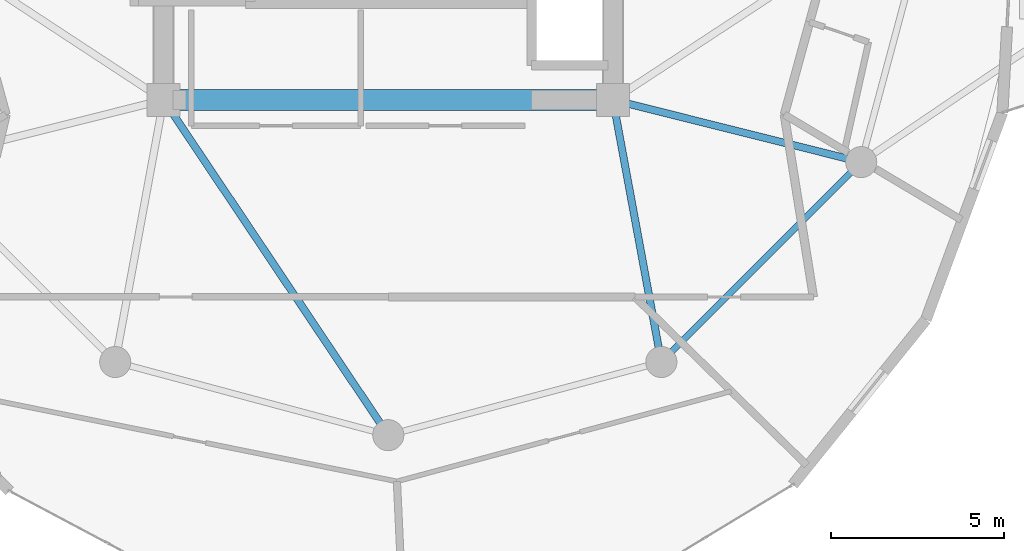
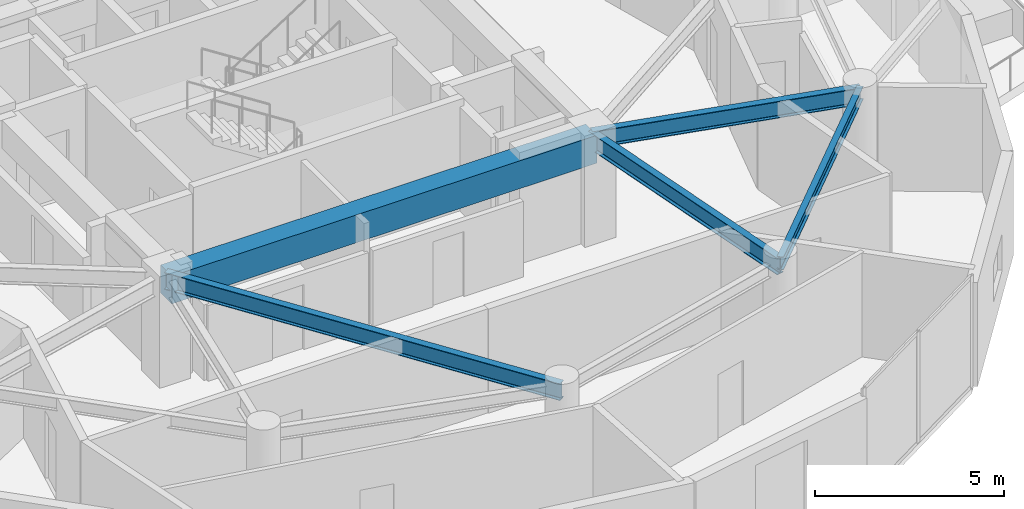
# One storey, part 6 of 21: 5 beams.
"""IFC4 building model written with IfcOpenShell, lengths in metres."""

import ifcopenshell
import ifcopenshell.guid

model = None  # the IFC model being written
_history = None  # IfcOwnerHistory: only IFC2X3 demands one
_inside = {}  # id of a spatial element -> (the spatial element, [elements in it])
_under = {}  # id of a project, library or spatial element -> (it, [spatial elements below it])
_declared = {}  # id of a project -> (the project, [libraries it declares])
_typed = {}  # id of a type object -> (the type object, [elements of that type])
_made_of = {}  # id of a material, layer set ... -> (it, [elements and type objects made of it])


def new_model(schema):
    """Start an empty IFC model of exactly this schema.

    Asked for "IFC4X3", IfcOpenShell would pick the latest addendum, in which some entities
    have other attributes; the version numbers below select the first issue.
    IFC2X3 requires an IfcOwnerHistory on every rooted entity: one is made here for all.
    """
    global model, _history
    if schema == "IFC4X3":
        model = ifcopenshell.file(schema_version=(4, 3, 0, 0))
    else:
        model = ifcopenshell.file(schema=schema)
    _inside.clear()
    _under.clear()
    _declared.clear()
    _typed.clear()
    _made_of.clear()
    _history = None
    if model.schema == "IFC2X3":
        org = make("IfcOrganization", Name="unknown")
        user = make(
            "IfcPersonAndOrganization",
            ThePerson=make("IfcPerson", FamilyName="unknown"),
            TheOrganization=org,
        )
        app = make(
            "IfcApplication",
            ApplicationDeveloper=org,
            Version="unknown",
            ApplicationFullName="unknown",
            ApplicationIdentifier="unknown",
        )
        _history = make(
            "IfcOwnerHistory",
            OwningUser=user,
            OwningApplication=app,
            ChangeAction="ADDED",
            CreationDate=0,
        )
    return model


def make(cls, **values):
    """One entity of the class cls with the attributes given. An attribute that is None is left unset."""
    return model.create_entity(
        cls, **{name: value for name, value in values.items() if value is not None}
    )


def rooted(cls, **values):
    """An entity with a GlobalId (a new one), such as an element, a storey or a relation."""
    return make(cls, GlobalId=ifcopenshell.guid.new(), OwnerHistory=_history, **values)


def si_unit(unit_type, name, prefix=None):
    """IfcSIUnit, for example si_unit("LENGTHUNIT", "METRE", prefix="MILLI")."""
    return make("IfcSIUnit", UnitType=unit_type, Prefix=prefix, Name=name)


def assignment(units):
    """IfcUnitAssignment: the units of a project."""
    return None if units is None else make("IfcUnitAssignment", Units=units)


def point(xyz):
    """IfcCartesianPoint."""
    return None if xyz is None else make("IfcCartesianPoint", Coordinates=xyz)


def direction(xyz):
    """IfcDirection."""
    return None if xyz is None else make("IfcDirection", DirectionRatios=xyz)


def frame(location, z_axis=None, x_axis=None):
    """IfcAxis2Placement3D, a coordinate frame: its origin and axes. An axis left out is left unset."""
    return make(
        "IfcAxis2Placement3D",
        Location=point(location),
        Axis=direction(z_axis),
        RefDirection=direction(x_axis),
    )


def frame_2d(location, x_axis=None):
    """IfcAxis2Placement2D, a coordinate frame in the plane: its origin and x axis."""
    return make(
        "IfcAxis2Placement2D", Location=point(location), RefDirection=direction(x_axis)
    )


def origin():
    """The frame at (0, 0, 0) with its axes left unset."""
    return frame((0.0, 0.0, 0.0))


def origin_2d():
    """The frame at (0, 0) in the plane with its x axis left unset."""
    return frame_2d((0.0, 0.0))


def place(relative_to, where):
    """IfcLocalPlacement: puts the frame where relative to a parent placement (None: the world)."""
    return make(
        "IfcLocalPlacement", PlacementRelTo=relative_to, RelativePlacement=where
    )


def context(
    kind, dimensions, precision=None, world=None, true_north=None, identifier=None
):
    """IfcGeometricRepresentationContext, for example the 3D "Model" context."""
    return make(
        "IfcGeometricRepresentationContext",
        ContextIdentifier=identifier,
        ContextType=kind,
        CoordinateSpaceDimension=dimensions,
        Precision=precision,
        WorldCoordinateSystem=world,
        TrueNorth=true_north,
    )


def subcontext(parent, identifier, kind, view, scale=None):
    """IfcGeometricRepresentationSubContext, for example "Body" below "Model"."""
    return make(
        "IfcGeometricRepresentationSubContext",
        ContextIdentifier=identifier,
        ContextType=kind,
        ParentContext=parent,
        TargetScale=scale,
        TargetView=view,
    )


def project(units=None, contexts=None):
    """IfcProject with its units and contexts."""
    return rooted(
        "IfcProject",
        Name="project",
        RepresentationContexts=contexts,
        UnitsInContext=assignment(units),
    )


def spatial(cls, under=None, at=None, **own):
    """A site, building, storey or space (cls), placed at a placement, below another one or the project."""
    s = rooted(cls, ObjectPlacement=at, **own)
    if under is not None:
        _under.setdefault(under.id(), (under, []))[1].append(s)
    return s


def profile(cls, at=None, kind="AREA", **sizes):
    """A parametric profile (cls). Its sizes go by their IFC names, for example OverallWidth=200.0."""
    return make(cls, ProfileType=kind, Position=at, **sizes)


def rectangle(**sizes):
    """IfcRectangleProfileDef."""
    return profile("IfcRectangleProfileDef", **sizes)


def i_section(**sizes):
    """IfcIShapeProfileDef."""
    return profile("IfcIShapeProfileDef", **sizes)


def extrude(swept, where, along, depth):
    """IfcExtrudedAreaSolid: the profile swept, set in the frame where, extruded along a direction by depth."""
    return make(
        "IfcExtrudedAreaSolid",
        SweptArea=swept,
        Position=where,
        ExtrudedDirection=direction(along),
        Depth=depth,
    )


def shape(context_of_items, identifier, shape_type, items):
    """IfcShapeRepresentation: the items that make up one representation, for example the "Body"."""
    return make(
        "IfcShapeRepresentation",
        ContextOfItems=context_of_items,
        RepresentationIdentifier=identifier,
        RepresentationType=shape_type,
        Items=items,
    )


def material(Name=None, Category=None):
    """IfcMaterial."""
    return make("IfcMaterial", Name=Name, Category=Category)


def material_profile(
    of_material, cross_section, Name=None, Category=None, Priority=None
):
    """IfcMaterialProfile: a cross section and its material."""
    return make(
        "IfcMaterialProfile",
        Name=Name,
        Material=of_material,
        Profile=cross_section,
        Priority=Priority,
        Category=Category,
    )


def profile_set(profiles, Name=None, composite=None):
    """IfcMaterialProfileSet."""
    return make(
        "IfcMaterialProfileSet",
        Name=Name,
        MaterialProfiles=profiles,
        CompositeProfile=composite,
    )


def made_of(thing, what):
    """Note that an element or type object is made of a material, layer set ...; save() writes the relation."""
    if what is not None:
        _made_of.setdefault(what.id(), (what, []))[1].append(thing)
    return thing


def type_object(cls, material=None, **own):
    """A type object (cls), such as IfcWallType, which elements share."""
    return made_of(rooted(cls, **own), material)


def element(
    cls,
    number,
    at=None,
    inside=None,
    cuts=None,
    type_object=None,
    material=None,
    context=None,
    identifier="Body",
    shape_type=None,
    held_by="IfcProductDefinitionShape",
    body=None,
    shapes=None,
    **own,
):
    """One element of the class cls, such as IfcWall. Its Tag is "e" and its number.

    at: its placement. inside: the storey or other place that contains it. cuts: it is an
    opening in that element (IfcRelVoidsElement). A single representation is given by context,
    identifier, shape_type and body (its items); several are given by shapes. held_by: the class
    of the entity that holds the representations. save() writes the other relations.
    """
    e = rooted(cls, Tag="e%d" % number, ObjectPlacement=at, **own)
    if body is not None:
        shapes = [shape(context, identifier, shape_type, body)]
    if shapes is not None:
        e.Representation = make(held_by, Representations=shapes)
    if inside is not None:
        _inside.setdefault(inside.id(), (inside, []))[1].append(e)
    if cuts is not None:
        rooted(
            "IfcRelVoidsElement", RelatingBuildingElement=cuts, RelatedOpeningElement=e
        )
    if type_object is not None:
        _typed.setdefault(type_object.id(), (type_object, []))[1].append(e)
    return made_of(e, material)


def aggregate(whole, parts):
    """IfcRelAggregates: a whole, such as a stair, and the parts it consists of."""
    return rooted("IfcRelAggregates", RelatingObject=whole, RelatedObjects=parts)


def save(model, path):
    """Write the relations noted so far, then the file.

    IfcRelAggregates (storeys below a building ...), IfcRelContainedInSpatialStructure (elements
    in a storey), IfcRelDefinesByType, IfcRelAssociatesMaterial and IfcRelDeclares: one each for
    every whole, place, type object, material and project.
    """
    for whole, parts in _under.values():
        aggregate(whole, parts)
    for where, things in _inside.values():
        rooted(
            "IfcRelContainedInSpatialStructure",
            RelatedElements=things,
            RelatingStructure=where,
        )
    for kind, things in _typed.values():
        rooted("IfcRelDefinesByType", RelatedObjects=things, RelatingType=kind)
    for what, things in _made_of.values():
        rooted("IfcRelAssociatesMaterial", RelatedObjects=things, RelatingMaterial=what)
    for by, libraries in _declared.values():
        rooted("IfcRelDeclares", RelatingContext=by, RelatedDefinitions=libraries)
    model.write(path)


model = new_model("IFC4")

# Units and contexts
model_context = context("Model", 3, precision=1e-05, world=origin(), true_north=direction((0.0, 1.0)))
body_context = subcontext(model_context, "Body", "Model", "MODEL_VIEW")
ifc_project = project(units=[si_unit("LENGTHUNIT", "METRE"), si_unit("AREAUNIT", "SQUARE_METRE"), si_unit("VOLUMEUNIT", "CUBIC_METRE"), si_unit("PLANEANGLEUNIT", "RADIAN"), si_unit("MASSUNIT", "GRAM", prefix="KILO")], contexts=[model_context])

# Site, building, storey
site_placement = place(None, origin())
site = spatial("IfcSite", under=ifc_project, at=site_placement, CompositionType="ELEMENT")
building_placement = place(site_placement, origin())
building = spatial("IfcBuilding", under=site, at=building_placement, Name="Solvirekh Grand Hotel", CompositionType="ELEMENT")
storey_placement = place(building_placement, frame((0.0, 0.0, 216.39990234375)))
storey = spatial("IfcBuildingStorey", under=building, at=storey_placement, Name="L56", CompositionType="ELEMENT", Elevation=216.39990234375)

# Beams
ifc_material_1 = material(Name="Concrete C50/60", Category="concrete")
ifc_material_profile_1 = material_profile(ifc_material_1, rectangle(XDim=0.60009765625, YDim=0.89990234375, at=origin_2d()), Name="RC BEAM 600X900")
ifc_profile_set_1 = profile_set([ifc_material_profile_1], Name="Concrete C50/60")
beam_type_1 = type_object("IfcBeamType", Name="Beam_Core_RC900", PredefinedType="BEAM", material=ifc_profile_set_1)
beam_1_placement = place(storey_placement, frame((-6.5, -6.10009765625, 2.91015625), z_axis=(1.0, 0.0, 0.0), x_axis=(0.0, 1.0, 0.0)))
element("IfcBeam", 1, at=beam_1_placement, inside=storey, type_object=beam_type_1, Name="L56 core coupling ring beam 1", PredefinedType="BEAM", context=body_context, shape_type="SweptSolid", body=[
    extrude(rectangle(XDim=0.60009765625, YDim=0.89990234375, at=origin_2d()), origin(), (0.0, 0.0, 1.0), 13.0),
])
ifc_material_2 = material(Name="Steel S355", Category="steel")
ifc_material_profile_2 = material_profile(ifc_material_2, i_section(OverallWidth=0.2119140625, OverallDepth=0.5439453125, WebThickness=0.011962890625, FlangeThickness=0.01904296875, FilletRadius=0.013916015625, at=origin_2d()), Name="W530X123")
ifc_profile_set_2 = profile_set([ifc_material_profile_2], Name="Steel S355")
beam_type_2 = type_object("IfcBeamType", Name="Beam_Radial_W530H", PredefinedType="BEAM", material=ifc_profile_set_2)
beam_2_placement = place(storey_placement, frame((-6.5, -6.10009765625, 3.088134765625), z_axis=(0.556676926176, -0.830729077295, 0.0), x_axis=(0.830729077295, 0.556676926176, 0.0)))
element("IfcBeam", 2, at=beam_2_placement, inside=storey, type_object=beam_type_2, Name="L56 radial floor beam R10", PredefinedType="BEAM", context=body_context, shape_type="SweptSolid", body=[
    extrude(i_section(OverallWidth=0.2119140625, OverallDepth=0.5439453125, WebThickness=0.011962890625, FlangeThickness=0.01904296875, FilletRadius=0.013916015625, at=origin_2d()), origin(), (0.0, 0.0, 1.0), 11.676513671875),
])
beam_3_placement = place(storey_placement, frame((6.5, -6.10009765625, 3.088134765625), z_axis=(0.181542769111, -0.983383049978, 0.0), x_axis=(0.983383049978, 0.181542769111, 0.0)))
element("IfcBeam", 3, at=beam_3_placement, inside=storey, type_object=beam_type_2, Name="L56 radial floor beam R11", PredefinedType="BEAM", context=body_context, shape_type="SweptSolid", body=[
    extrude(i_section(OverallWidth=0.2119140625, OverallDepth=0.5439453125, WebThickness=0.011962890625, FlangeThickness=0.01904296875, FilletRadius=0.013916015625, at=origin_2d()), origin(), (0.0, 0.0, 1.0), 7.711181640625),
])
beam_4_placement = place(storey_placement, frame((6.5, -6.10009765625, 3.088134765625), z_axis=(0.970014367692, -0.243047580675, 0.0), x_axis=(0.243047580675, 0.970014367692, 0.0)))
element("IfcBeam", 4, at=beam_4_placement, inside=storey, type_object=beam_type_2, Name="L56 radial floor beam R12", PredefinedType="BEAM", context=body_context, shape_type="SweptSolid", body=[
    extrude(i_section(OverallWidth=0.2119140625, OverallDepth=0.5439453125, WebThickness=0.011962890625, FlangeThickness=0.01904296875, FilletRadius=0.013916015625, at=origin_2d()), origin(), (0.0, 0.0, 1.0), 7.4052734375),
])
ifc_material_profile_3 = material_profile(ifc_material_2, i_section(OverallWidth=0.180908203125, OverallDepth=0.4169921875, WebThickness=0.010009765625, FlangeThickness=0.01611328125, FilletRadius=0.011962890625, at=origin_2d()), Name="W410X85")
ifc_profile_set_3 = profile_set([ifc_material_profile_3], Name="Steel S355")
beam_type_3 = type_object("IfcBeamType", Name="Spandrel_Ring_W410", PredefinedType="SPANDREL", material=ifc_profile_set_3)
beam_5_placement = place(storey_placement, frame((7.89990234375, -13.68310546875, 3.152099609375), z_axis=(0.707106781187, 0.707106781187, 0.0), x_axis=(-0.707106781187, 0.707106781187, 0.0)))
element("IfcBeam", 5, at=beam_5_placement, inside=storey, type_object=beam_type_3, Name="L56 perimeter spandrel beam 11", PredefinedType="SPANDREL", context=body_context, shape_type="SweptSolid", body=[
    extrude(i_section(OverallWidth=0.180908203125, OverallDepth=0.4169921875, WebThickness=0.010009765625, FlangeThickness=0.01611328125, FilletRadius=0.011962890625, at=origin_2d()), origin(), (0.0, 0.0, 1.0), 8.1787109375),
])

save(model, "model.ifc")
